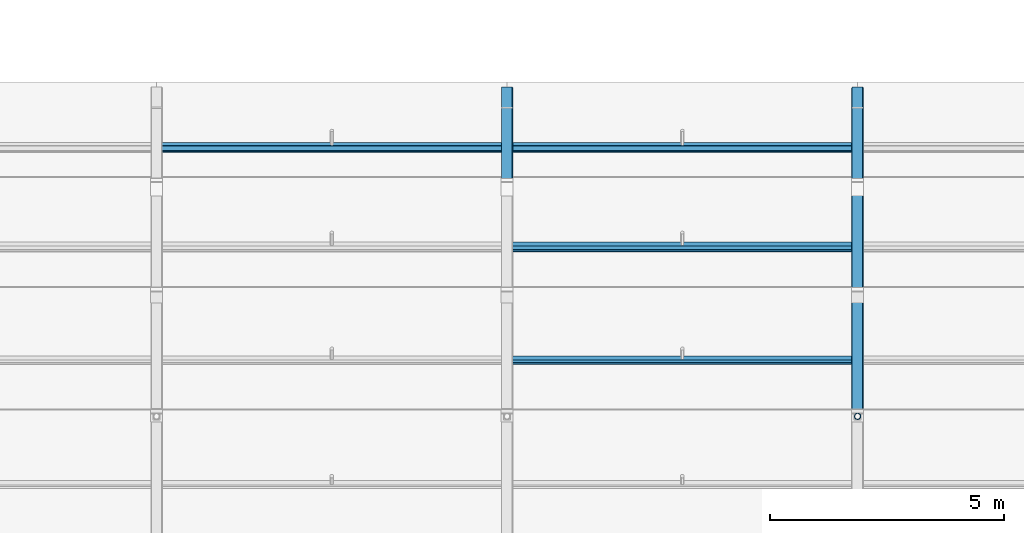
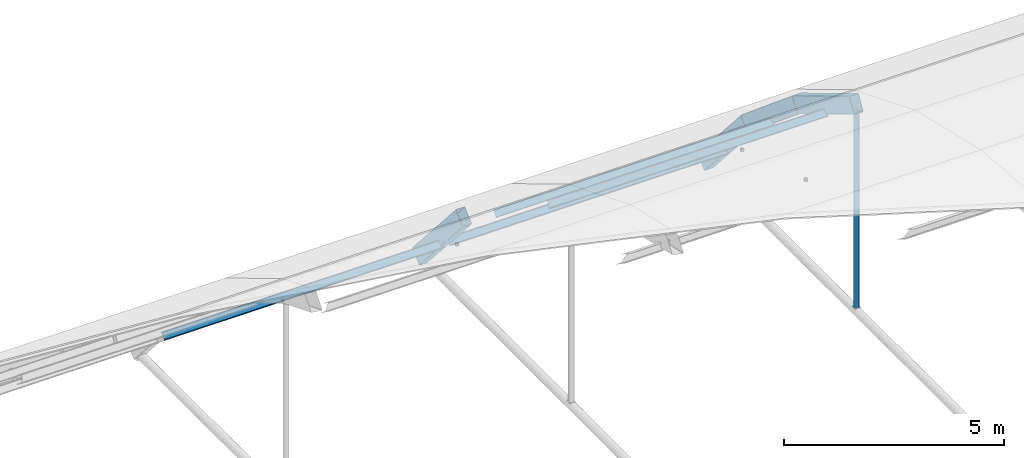
# One storey, part 18 of 77: 5 members, 4 beams.
"""IFC4 building model written with IfcOpenShell, lengths in metres."""

from ifc_helpers import new_model, si_unit, direction, frame, origin, origin_2d, place, context, subcontext, project, spatial, hollow_rectangle, hollow_circle, i_section, extrude, material, material_profile, profile_set, type_object, element, save


model = new_model("IFC4")

# Units and contexts
model_context = context("Model", 3, precision=1e-05, world=origin(), true_north=direction((0.0, 1.0)))
body_context = subcontext(model_context, "Body", "Model", "MODEL_VIEW")
ifc_project = project(units=[si_unit("LENGTHUNIT", "METRE"), si_unit("AREAUNIT", "SQUARE_METRE"), si_unit("VOLUMEUNIT", "CUBIC_METRE"), si_unit("PLANEANGLEUNIT", "RADIAN"), si_unit("MASSUNIT", "GRAM", prefix="KILO")], contexts=[model_context])

# Site, building, storey
site_placement = place(None, origin())
site = spatial("IfcSite", under=ifc_project, at=site_placement, CompositionType="ELEMENT")
building_placement = place(site_placement, origin())
building = spatial("IfcBuilding", under=site, at=building_placement, Name="Yukiwa Park Conservatory and Herbarium", CompositionType="ELEMENT")
storey_placement = place(building_placement, frame((0.0, 0.0, 13.199951171875)))
storey = spatial("IfcBuildingStorey", under=building, at=storey_placement, Name="L03", CompositionType="ELEMENT", Elevation=13.199951171875)

# Beams
ifc_material_1 = material(Name="Steel Q355D", Category="steel")
ifc_material_profile_1 = material_profile(ifc_material_1, hollow_rectangle(XDim=0.25, YDim=0.449951171875, WallThickness=0.013916015625, InnerFilletRadius=0.013916015625, OuterFilletRadius=0.028076171875, at=origin_2d()), Name="RHS 450x250x14")
ifc_profile_set_1 = profile_set([ifc_material_profile_1], Name="Steel Q355D")
beam_type = type_object("IfcBeamType", Name="BM-VLT-ARCH450", PredefinedType="BEAM", material=ifc_profile_set_1)
for number, where, z_axis, x_axis, name in (
    (1, (22.5, 29.213134765625, -1.93798828125), (0.0, 0.659932949032, -0.75132449899), (-1.0, 0.0, 0.0), "Conservatory barrel vault arch rib 4 chord 12"),
    (2, (30.0, 24.320556640625, 1.541259765625), (0.0, 0.857249569488, -0.514901131881), (-1.0, 0.0, 0.0), "Conservatory barrel vault arch rib 5 chord 10"),
    (3, (30.0, 26.901611328125, -0.009033203125), (0.0, 0.767782402885, -0.640710684959), (-1.0, 0.0, 0.0), "Conservatory barrel vault arch rib 5 chord 11"),
    (4, (30.0, 29.213134765625, -1.93798828125), (0.0, 0.659932949032, -0.75132449899), (-1.0, 0.0, 0.0), "Conservatory barrel vault arch rib 5 chord 12"),
):
    element("IfcBeam", number, at=place(storey_placement, frame(where, z_axis=z_axis, x_axis=x_axis)), inside=storey, type_object=beam_type, Name=name, PredefinedType="BEAM", context=body_context, shape_type="SweptSolid", body=[
        extrude(hollow_rectangle(XDim=0.25, YDim=0.449951171875, WallThickness=0.013916015625, InnerFilletRadius=0.013916015625, OuterFilletRadius=0.028076171875, at=origin_2d()), origin(), (0.0, 0.0, 1.0), 3.0107421875),
    ])

# Members
ifc_material_2 = material(Name="Steel Q355D", Category="steel")
ifc_material_profile_2 = material_profile(ifc_material_2, i_section(OverallWidth=0.10009765625, OverallDepth=0.199951171875, WebThickness=0.005615234375, FlangeThickness=0.008056640625, FilletRadius=0.010986328125, at=origin_2d()), Name="HN 200x100x5.5x8")
ifc_profile_set_2 = profile_set([ifc_material_profile_2], Name="Steel Q355D")
member_type_1 = type_object("IfcMemberType", Name="MB-VLT-PURL200", PredefinedType="PURLIN", material=ifc_profile_set_2)
for number, where, z_axis, x_axis, name in (
    (5, (15.0849609375, 30.07421875, -3.18505859375), (1.0, 0.0, 0.0), (0.0, 0.659967575996, -0.751294082656), "Conservatory vault longitudinal purlin 3.12"),
    (6, (22.5849609375, 25.5205078125, 0.615234375), (1.0, 0.0, 0.0), (0.0, 0.857233812968, -0.514927363717), "Conservatory vault longitudinal purlin 4.10"),
    (7, (22.5849609375, 27.944580078125, -1.108642578125), (1.0, 0.0, 0.0), (0.0, 0.767751470285, -0.640747750582), "Conservatory vault longitudinal purlin 4.11"),
    (8, (22.5849609375, 30.07421875, -3.18505859375), (1.0, 0.0, 0.0), (0.0, 0.659967575996, -0.751294082656), "Conservatory vault longitudinal purlin 4.12"),
):
    element("IfcMember", number, at=place(storey_placement, frame(where, z_axis=z_axis, x_axis=x_axis)), inside=storey, type_object=member_type_1, Name=name, PredefinedType="PURLIN", context=body_context, shape_type="SweptSolid", body=[
        extrude(i_section(OverallWidth=0.10009765625, OverallDepth=0.199951171875, WebThickness=0.005615234375, FlangeThickness=0.008056640625, FilletRadius=0.010986328125, at=origin_2d()), origin(), (0.0, 0.0, 1.0), 7.330078125),
    ])
ifc_material_3 = material(Name="Steel Q355D", Category="steel")
ifc_material_profile_3 = material_profile(ifc_material_3, hollow_circle(Radius=0.06982421875, WallThickness=0.008056640625, at=origin_2d()), Name="CHS 139.7x8")
ifc_profile_set_3 = profile_set([ifc_material_profile_3], Name="Steel Q355D")
member_type_2 = type_object("IfcMemberType", Name="MB-VLT-STRUT140", PredefinedType="STRUT", material=ifc_profile_set_3)
member_placement = place(storey_placement, frame((30.0, 24.320556640625, -4.095947265625), z_axis=(0.0, 0.0, 1.0), x_axis=(1.0, 0.0, 0.0)))
element("IfcMember", 9, at=member_placement, inside=storey, type_object=member_type_2, Name="Conservatory vault bowstring hanger 5.9", PredefinedType="STRUT", context=body_context, shape_type="SweptSolid", body=[
    extrude(hollow_circle(Radius=0.06982421875, WallThickness=0.008056640625, at=origin_2d()), origin(), (0.0, 0.0, 1.0), 5.42236328125),
])

save(model, "model.ifc")
